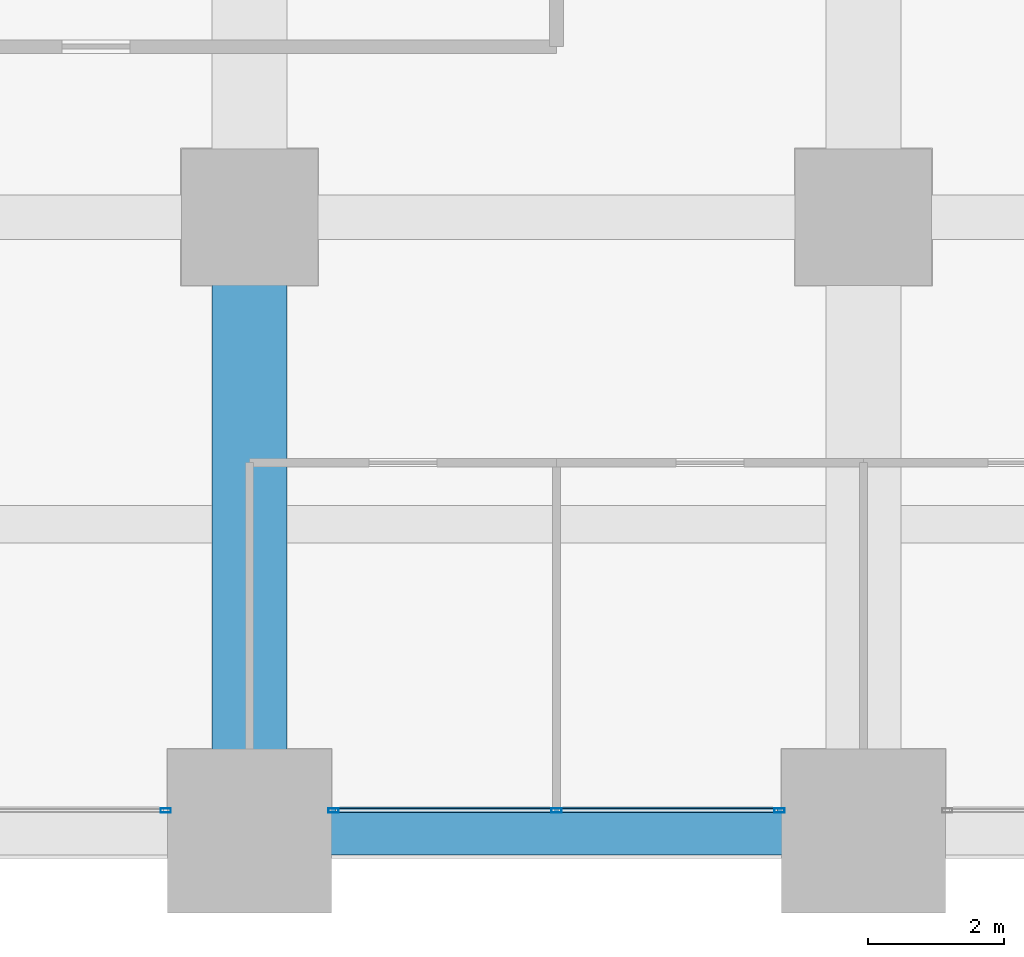
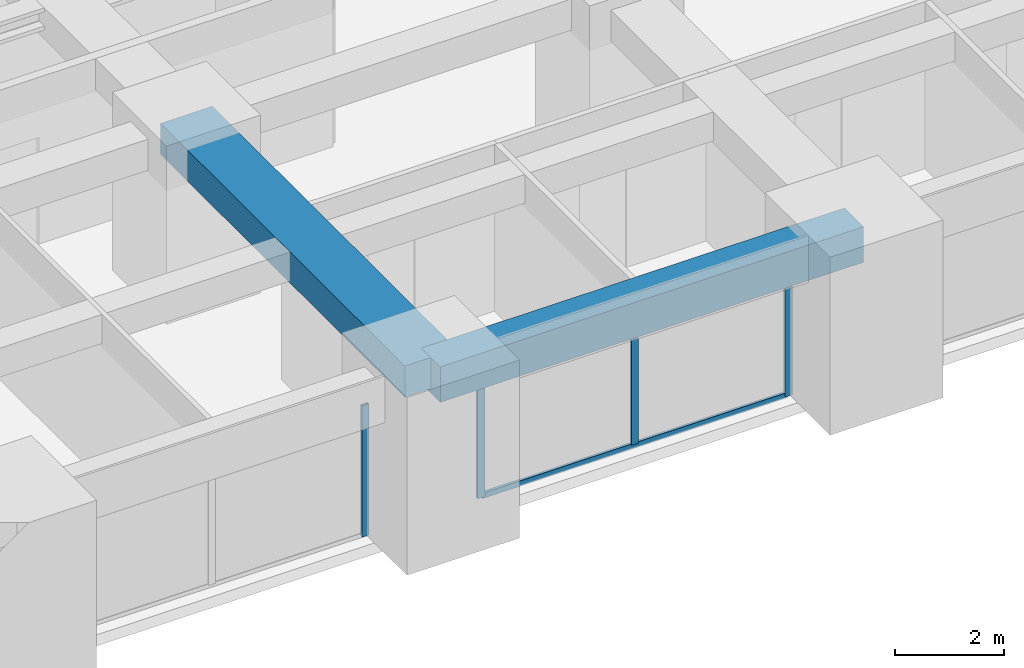
# One storey, part 13 of 41: 5 members, 2 beams, 2 elements without a shape of their own.
"""IFC4 building model written with IfcOpenShell, lengths in metres."""

from ifc_helpers import new_model, si_unit, direction, frame, origin, origin_2d, place, context, subcontext, project, spatial, rectangle, hollow_rectangle, extrude, material, material_profile, profile_set, type_object, element, aggregate, save


model = new_model("IFC4")

# Units and contexts
model_context = context("Model", 3, precision=1e-05, world=origin(), true_north=direction((0.0, 1.0)))
body_context = subcontext(model_context, "Body", "Model", "MODEL_VIEW")
ifc_project = project(units=[si_unit("LENGTHUNIT", "METRE"), si_unit("AREAUNIT", "SQUARE_METRE"), si_unit("VOLUMEUNIT", "CUBIC_METRE"), si_unit("PLANEANGLEUNIT", "RADIAN"), si_unit("MASSUNIT", "GRAM", prefix="KILO")], contexts=[model_context])

# Site, building, storey
site_placement = place(None, origin())
site = spatial("IfcSite", under=ifc_project, at=site_placement, CompositionType="ELEMENT")
building_placement = place(site_placement, origin())
building = spatial("IfcBuilding", under=site, at=building_placement, Name="Zorevar Civic Tower", CompositionType="ELEMENT")
storey_placement = place(building_placement, frame((0.0, 0.0, 101.0)))
storey = spatial("IfcBuildingStorey", under=building, at=storey_placement, Name="L24", CompositionType="ELEMENT", Elevation=101.0)

# Beam
ifc_material_1 = material(Name="Concrete C50/60", Category="concrete")
ifc_material_profile_1 = material_profile(ifc_material_1, rectangle(XDim=1.10009765625, YDim=0.699951171875, at=origin_2d()), Name="RC 1100x700")
ifc_profile_set_1 = profile_set([ifc_material_profile_1], Name="Concrete C50/60")
beam_type_1 = type_object("IfcBeamType", Name="Beam RC 1100x700", PredefinedType="BEAM", material=ifc_profile_set_1)
beam_1_placement = place(storey_placement, frame((36.0, 0.0, 3.39990234375), z_axis=(0.0, 1.0, 0.0), x_axis=(-1.0, 0.0, 0.0)))
element("IfcBeam", 1, at=beam_1_placement, inside=storey, type_object=beam_type_1, Name="Girder L25", PredefinedType="BEAM", context=body_context, shape_type="SweptSolid", body=[
    extrude(rectangle(XDim=1.10009765625, YDim=0.699951171875, at=origin_2d()), origin(), (0.0, 0.0, 1.0), 9.0),
])

# Curtain wall, member
ifc_material_2 = material(Name="Dark grey solar-control glass in black aluminium frame", Category="aluminium")
curtain_wall_type = type_object("IfcCurtainWallType", Name="Curtain wall CW3 mid zone", PredefinedType="NOTDEFINED", material=ifc_material_2)
curtain_wall_1_placement = place(storey_placement, origin())
curtain_wall_1 = element("IfcCurtainWall", 2, at=curtain_wall_1_placement, inside=storey, type_object=curtain_wall_type, Name="CW3 L24", PredefinedType="NOTDEFINED")
ifc_material_3 = material(Name="Aluminium, black anodised", Category="aluminium")
ifc_material_profile_2 = material_profile(ifc_material_3, hollow_rectangle(XDim=0.06005859375, YDim=0.14990234375, WallThickness=0.00390625, at=origin_2d()), Name="AL 150x60x4")
ifc_profile_set_2 = profile_set([ifc_material_profile_2], Name="Aluminium, black anodised")
member_type_1 = type_object("IfcMemberType", Name="CW3 mullion AL 150x60x4", PredefinedType="MULLION", material=ifc_profile_set_2)
member_1_placement = place(storey_placement, frame((34.77001953125, 0.300048828125, 0.0), z_axis=(0.0, 0.0, 1.0), x_axis=(0.0, 1.0, 0.0)))
member_1 = element("IfcMember", 3, at=member_1_placement, type_object=member_type_1, Name="CW3 mullion 3", PredefinedType="MULLION", context=body_context, shape_type="SweptSolid", body=[
    extrude(hollow_rectangle(XDim=0.06005859375, YDim=0.14990234375, WallThickness=0.00390625, at=origin_2d()), origin(), (0.0, 0.0, 1.0), 2.949951171875),
])
aggregate(curtain_wall_1, [member_1])

# Curtain wall, members
curtain_wall_2_placement = place(storey_placement, origin())
curtain_wall_2 = element("IfcCurtainWall", 4, at=curtain_wall_2_placement, inside=storey, type_object=curtain_wall_type, Name="CW3 L24", PredefinedType="NOTDEFINED")
member_2_placement = place(storey_placement, frame((37.22998046875, 0.300048828125, 0.0), z_axis=(0.0, 0.0, 1.0), x_axis=(0.0, 1.0, 0.0)))
member_2 = element("IfcMember", 5, at=member_2_placement, type_object=member_type_1, Name="CW3 mullion 1", PredefinedType="MULLION", context=body_context, shape_type="SweptSolid", body=[
    extrude(hollow_rectangle(XDim=0.06005859375, YDim=0.14990234375, WallThickness=0.00390625, at=origin_2d()), origin(), (0.0, 0.0, 1.0), 2.949951171875),
])
member_3_placement = place(storey_placement, frame((40.5, 0.300048828125, 0.06005859375), z_axis=(0.0, 0.0, 1.0), x_axis=(0.0, 1.0, 0.0)))
member_3 = element("IfcMember", 6, at=member_3_placement, type_object=member_type_1, Name="CW3 mullion 2", PredefinedType="MULLION", context=body_context, shape_type="SweptSolid", body=[
    extrude(hollow_rectangle(XDim=0.06005859375, YDim=0.14990234375, WallThickness=0.00390625, at=origin_2d()), origin(), (0.0, 0.0, 1.0), 2.889892578125),
])
member_4_placement = place(storey_placement, frame((43.77001953125, 0.300048828125, 0.0), z_axis=(0.0, 0.0, 1.0), x_axis=(0.0, 1.0, 0.0)))
member_4 = element("IfcMember", 7, at=member_4_placement, type_object=member_type_1, Name="CW3 mullion 3", PredefinedType="MULLION", context=body_context, shape_type="SweptSolid", body=[
    extrude(hollow_rectangle(XDim=0.06005859375, YDim=0.14990234375, WallThickness=0.00390625, at=origin_2d()), origin(), (0.0, 0.0, 1.0), 2.949951171875),
])
ifc_material_4 = material(Name="Aluminium, black anodised", Category="aluminium")
ifc_material_profile_3 = material_profile(ifc_material_4, hollow_rectangle(XDim=0.06005859375, YDim=0.1201171875, WallThickness=0.0029296875, at=origin_2d()), Name="AL 120x60x3")
ifc_profile_set_3 = profile_set([ifc_material_profile_3], Name="Aluminium, black anodised")
member_type_2 = type_object("IfcMemberType", Name="CW3 transom AL 120x60x3", PredefinedType="USERDEFINED", material=ifc_profile_set_3)
member_5_placement = place(storey_placement, frame((37.260009765625, 0.300048828125, 0.030029296875), z_axis=(1.0, 0.0, 0.0), x_axis=(0.0, 1.0, 0.0)))
member_5 = element("IfcMember", 8, at=member_5_placement, type_object=member_type_2, Name="CW3 sill transom", ObjectType="TRANSOM", PredefinedType="USERDEFINED", context=body_context, shape_type="SweptSolid", body=[
    extrude(hollow_rectangle(XDim=0.06005859375, YDim=0.1201171875, WallThickness=0.0029296875, at=origin_2d()), origin(), (0.0, 0.0, 1.0), 6.47998046875),
])
aggregate(curtain_wall_2, [member_2, member_3, member_4, member_5])

# Beam
ifc_material_5 = material(Name="Concrete C50/60", Category="concrete")
ifc_material_profile_4 = material_profile(ifc_material_5, rectangle(XDim=0.699951171875, YDim=0.800048828125, at=origin_2d()), Name="RC 700x800")
ifc_profile_set_4 = profile_set([ifc_material_profile_4], Name="Concrete C50/60")
beam_type_2 = type_object("IfcBeamType", Name="Edge beam RC 700x800", PredefinedType="SPANDREL", material=ifc_profile_set_4)
beam_2_placement = place(storey_placement, frame((36.0, 0.0, 3.35009765625), z_axis=(1.0, 0.0, 0.0), x_axis=(0.0, 1.0, 0.0)))
element("IfcBeam", 9, at=beam_2_placement, inside=storey, type_object=beam_type_2, Name="Edge beam L25", PredefinedType="SPANDREL", context=body_context, shape_type="SweptSolid", body=[
    extrude(rectangle(XDim=0.699951171875, YDim=0.800048828125, at=origin_2d()), origin(), (0.0, 0.0, 1.0), 9.0),
])

save(model, "model.ifc")
